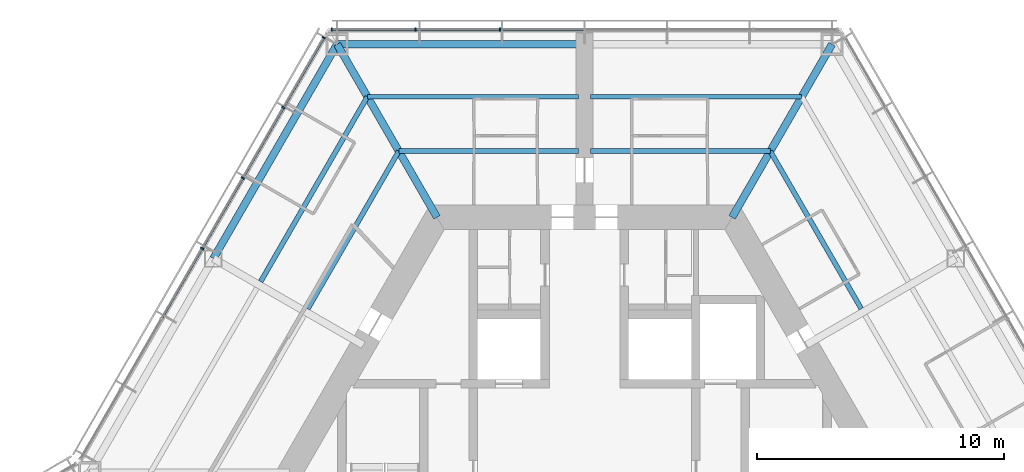
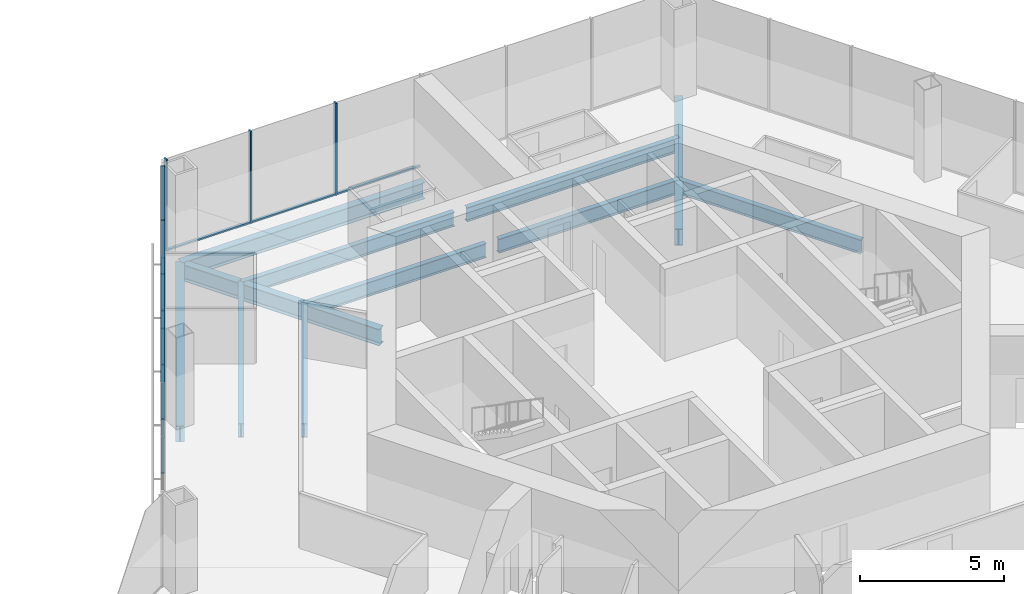
# One storey, part 7 of 18: 14 members, 11 beams, 2 elements without a shape of their own.
"""IFC4 building model written with IfcOpenShell, lengths in metres."""

import ifcopenshell
import ifcopenshell.guid

model = None  # the IFC model being written
_history = None  # IfcOwnerHistory: only IFC2X3 demands one
_inside = {}  # id of a spatial element -> (the spatial element, [elements in it])
_under = {}  # id of a project, library or spatial element -> (it, [spatial elements below it])
_declared = {}  # id of a project -> (the project, [libraries it declares])
_typed = {}  # id of a type object -> (the type object, [elements of that type])
_made_of = {}  # id of a material, layer set ... -> (it, [elements and type objects made of it])


def new_model(schema):
    """Start an empty IFC model of exactly this schema.

    Asked for "IFC4X3", IfcOpenShell would pick the latest addendum, in which some entities
    have other attributes; the version numbers below select the first issue.
    IFC2X3 requires an IfcOwnerHistory on every rooted entity: one is made here for all.
    """
    global model, _history
    if schema == "IFC4X3":
        model = ifcopenshell.file(schema_version=(4, 3, 0, 0))
    else:
        model = ifcopenshell.file(schema=schema)
    _inside.clear()
    _under.clear()
    _declared.clear()
    _typed.clear()
    _made_of.clear()
    _history = None
    if model.schema == "IFC2X3":
        org = make("IfcOrganization", Name="unknown")
        user = make(
            "IfcPersonAndOrganization",
            ThePerson=make("IfcPerson", FamilyName="unknown"),
            TheOrganization=org,
        )
        app = make(
            "IfcApplication",
            ApplicationDeveloper=org,
            Version="unknown",
            ApplicationFullName="unknown",
            ApplicationIdentifier="unknown",
        )
        _history = make(
            "IfcOwnerHistory",
            OwningUser=user,
            OwningApplication=app,
            ChangeAction="ADDED",
            CreationDate=0,
        )
    return model


def make(cls, **values):
    """One entity of the class cls with the attributes given. An attribute that is None is left unset."""
    return model.create_entity(
        cls, **{name: value for name, value in values.items() if value is not None}
    )


def rooted(cls, **values):
    """An entity with a GlobalId (a new one), such as an element, a storey or a relation."""
    return make(cls, GlobalId=ifcopenshell.guid.new(), OwnerHistory=_history, **values)


def si_unit(unit_type, name, prefix=None):
    """IfcSIUnit, for example si_unit("LENGTHUNIT", "METRE", prefix="MILLI")."""
    return make("IfcSIUnit", UnitType=unit_type, Prefix=prefix, Name=name)


def assignment(units):
    """IfcUnitAssignment: the units of a project."""
    return None if units is None else make("IfcUnitAssignment", Units=units)


def point(xyz):
    """IfcCartesianPoint."""
    return None if xyz is None else make("IfcCartesianPoint", Coordinates=xyz)


def direction(xyz):
    """IfcDirection."""
    return None if xyz is None else make("IfcDirection", DirectionRatios=xyz)


def frame(location, z_axis=None, x_axis=None):
    """IfcAxis2Placement3D, a coordinate frame: its origin and axes. An axis left out is left unset."""
    return make(
        "IfcAxis2Placement3D",
        Location=point(location),
        Axis=direction(z_axis),
        RefDirection=direction(x_axis),
    )


def frame_2d(location, x_axis=None):
    """IfcAxis2Placement2D, a coordinate frame in the plane: its origin and x axis."""
    return make(
        "IfcAxis2Placement2D", Location=point(location), RefDirection=direction(x_axis)
    )


def origin():
    """The frame at (0, 0, 0) with its axes left unset."""
    return frame((0.0, 0.0, 0.0))


def origin_2d():
    """The frame at (0, 0) in the plane with its x axis left unset."""
    return frame_2d((0.0, 0.0))


def place(relative_to, where):
    """IfcLocalPlacement: puts the frame where relative to a parent placement (None: the world)."""
    return make(
        "IfcLocalPlacement", PlacementRelTo=relative_to, RelativePlacement=where
    )


def context(
    kind, dimensions, precision=None, world=None, true_north=None, identifier=None
):
    """IfcGeometricRepresentationContext, for example the 3D "Model" context."""
    return make(
        "IfcGeometricRepresentationContext",
        ContextIdentifier=identifier,
        ContextType=kind,
        CoordinateSpaceDimension=dimensions,
        Precision=precision,
        WorldCoordinateSystem=world,
        TrueNorth=true_north,
    )


def subcontext(parent, identifier, kind, view, scale=None):
    """IfcGeometricRepresentationSubContext, for example "Body" below "Model"."""
    return make(
        "IfcGeometricRepresentationSubContext",
        ContextIdentifier=identifier,
        ContextType=kind,
        ParentContext=parent,
        TargetScale=scale,
        TargetView=view,
    )


def project(units=None, contexts=None):
    """IfcProject with its units and contexts."""
    return rooted(
        "IfcProject",
        Name="project",
        RepresentationContexts=contexts,
        UnitsInContext=assignment(units),
    )


def spatial(cls, under=None, at=None, **own):
    """A site, building, storey or space (cls), placed at a placement, below another one or the project."""
    s = rooted(cls, ObjectPlacement=at, **own)
    if under is not None:
        _under.setdefault(under.id(), (under, []))[1].append(s)
    return s


def profile(cls, at=None, kind="AREA", **sizes):
    """A parametric profile (cls). Its sizes go by their IFC names, for example OverallWidth=200.0."""
    return make(cls, ProfileType=kind, Position=at, **sizes)


def rectangle(**sizes):
    """IfcRectangleProfileDef."""
    return profile("IfcRectangleProfileDef", **sizes)


def i_section(**sizes):
    """IfcIShapeProfileDef."""
    return profile("IfcIShapeProfileDef", **sizes)


def extrude(swept, where, along, depth):
    """IfcExtrudedAreaSolid: the profile swept, set in the frame where, extruded along a direction by depth."""
    return make(
        "IfcExtrudedAreaSolid",
        SweptArea=swept,
        Position=where,
        ExtrudedDirection=direction(along),
        Depth=depth,
    )


def shape(context_of_items, identifier, shape_type, items):
    """IfcShapeRepresentation: the items that make up one representation, for example the "Body"."""
    return make(
        "IfcShapeRepresentation",
        ContextOfItems=context_of_items,
        RepresentationIdentifier=identifier,
        RepresentationType=shape_type,
        Items=items,
    )


def material(Name=None, Category=None):
    """IfcMaterial."""
    return make("IfcMaterial", Name=Name, Category=Category)


def material_profile(
    of_material, cross_section, Name=None, Category=None, Priority=None
):
    """IfcMaterialProfile: a cross section and its material."""
    return make(
        "IfcMaterialProfile",
        Name=Name,
        Material=of_material,
        Profile=cross_section,
        Priority=Priority,
        Category=Category,
    )


def profile_set(profiles, Name=None, composite=None):
    """IfcMaterialProfileSet."""
    return make(
        "IfcMaterialProfileSet",
        Name=Name,
        MaterialProfiles=profiles,
        CompositeProfile=composite,
    )


def made_of(thing, what):
    """Note that an element or type object is made of a material, layer set ...; save() writes the relation."""
    if what is not None:
        _made_of.setdefault(what.id(), (what, []))[1].append(thing)
    return thing


def type_object(cls, material=None, **own):
    """A type object (cls), such as IfcWallType, which elements share."""
    return made_of(rooted(cls, **own), material)


def element(
    cls,
    number,
    at=None,
    inside=None,
    cuts=None,
    type_object=None,
    material=None,
    context=None,
    identifier="Body",
    shape_type=None,
    held_by="IfcProductDefinitionShape",
    body=None,
    shapes=None,
    **own,
):
    """One element of the class cls, such as IfcWall. Its Tag is "e" and its number.

    at: its placement. inside: the storey or other place that contains it. cuts: it is an
    opening in that element (IfcRelVoidsElement). A single representation is given by context,
    identifier, shape_type and body (its items); several are given by shapes. held_by: the class
    of the entity that holds the representations. save() writes the other relations.
    """
    e = rooted(cls, Tag="e%d" % number, ObjectPlacement=at, **own)
    if body is not None:
        shapes = [shape(context, identifier, shape_type, body)]
    if shapes is not None:
        e.Representation = make(held_by, Representations=shapes)
    if inside is not None:
        _inside.setdefault(inside.id(), (inside, []))[1].append(e)
    if cuts is not None:
        rooted(
            "IfcRelVoidsElement", RelatingBuildingElement=cuts, RelatedOpeningElement=e
        )
    if type_object is not None:
        _typed.setdefault(type_object.id(), (type_object, []))[1].append(e)
    return made_of(e, material)


def aggregate(whole, parts):
    """IfcRelAggregates: a whole, such as a stair, and the parts it consists of."""
    return rooted("IfcRelAggregates", RelatingObject=whole, RelatedObjects=parts)


def save(model, path):
    """Write the relations noted so far, then the file.

    IfcRelAggregates (storeys below a building ...), IfcRelContainedInSpatialStructure (elements
    in a storey), IfcRelDefinesByType, IfcRelAssociatesMaterial and IfcRelDeclares: one each for
    every whole, place, type object, material and project.
    """
    for whole, parts in _under.values():
        aggregate(whole, parts)
    for where, things in _inside.values():
        rooted(
            "IfcRelContainedInSpatialStructure",
            RelatedElements=things,
            RelatingStructure=where,
        )
    for kind, things in _typed.values():
        rooted("IfcRelDefinesByType", RelatedObjects=things, RelatingType=kind)
    for what, things in _made_of.values():
        rooted("IfcRelAssociatesMaterial", RelatedObjects=things, RelatingMaterial=what)
    for by, libraries in _declared.values():
        rooted("IfcRelDeclares", RelatingContext=by, RelatedDefinitions=libraries)
    model.write(path)


model = new_model("IFC4")

# Units and contexts
model_context = context("Model", 3, precision=1e-05, world=origin(), true_north=direction((0.0, 1.0)))
body_context = subcontext(model_context, "Body", "Model", "MODEL_VIEW")
ifc_project = project(units=[si_unit("LENGTHUNIT", "METRE"), si_unit("AREAUNIT", "SQUARE_METRE"), si_unit("VOLUMEUNIT", "CUBIC_METRE"), si_unit("PLANEANGLEUNIT", "RADIAN"), si_unit("MASSUNIT", "GRAM", prefix="KILO")], contexts=[model_context])

# Site, building, storey
site_placement = place(None, origin())
site = spatial("IfcSite", under=ifc_project, at=site_placement, CompositionType="ELEMENT")
building_placement = place(site_placement, origin())
building = spatial("IfcBuilding", under=site, at=building_placement, Name="Kasaneha Research Tower", CompositionType="ELEMENT")
storey_placement = place(building_placement, frame((0.0, 0.0, 199.39990234375)))
storey = spatial("IfcBuildingStorey", under=building, at=storey_placement, Name="L50", CompositionType="ELEMENT", Elevation=199.39990234375)

# Beams
ifc_material_1 = material(Name="Steel SN490B", Category="steel")
ifc_material_profile_1 = material_profile(ifc_material_1, i_section(OverallWidth=0.199951171875, OverallDepth=0.60009765625, WebThickness=0.010986328125, FlangeThickness=0.01708984375, FilletRadius=0.012939453125, at=origin_2d()), Name="H-600x200x11x17")
ifc_profile_set_1 = profile_set([ifc_material_profile_1], Name="Steel SN490B")
beam_type_1 = type_object("IfcBeamType", Name="B1-3 secondary beam H-600x200x11x17", PredefinedType="JOIST", material=ifc_profile_set_1)
beam_1_placement = place(storey_placement, frame((7.505615234375, 13.0, -0.449951171875), z_axis=(0.499994443168, -0.866028611999, 0.0), x_axis=(0.866028611999, 0.499994443168, 0.0)))
element("IfcBeam", 1, at=beam_1_placement, inside=storey, type_object=beam_type_1, Name="Secondary beam RS030R1 L50", PredefinedType="JOIST", context=body_context, shape_type="SweptSolid", body=[
    extrude(i_section(OverallWidth=0.199951171875, OverallDepth=0.60009765625, WebThickness=0.010986328125, FlangeThickness=0.01708984375, FilletRadius=0.012939453125, at=origin_2d()), origin(), (0.0, 0.0, 1.0), 7.35546875),
])
beam_2_placement = place(storey_placement, frame((7.505615234375, 13.0, -0.449951171875), z_axis=(-1.0, 0.0, 0.0), x_axis=(0.0, -1.0, 0.0)))
element("IfcBeam", 2, at=beam_2_placement, inside=storey, type_object=beam_type_1, Name="Secondary beam RS090L1 L50", PredefinedType="JOIST", context=body_context, shape_type="SweptSolid", body=[
    extrude(i_section(OverallWidth=0.199951171875, OverallDepth=0.60009765625, WebThickness=0.010986328125, FlangeThickness=0.01708984375, FilletRadius=0.012939453125, at=origin_2d()), origin(), (0.0, 0.0, 1.0), 7.255615234375),
])
beam_3_placement = place(storey_placement, frame((8.775634765625, 15.199951171875, -0.449951171875), z_axis=(-1.0, 0.0, 0.0), x_axis=(0.0, -1.0, 0.0)))
element("IfcBeam", 3, at=beam_3_placement, inside=storey, type_object=beam_type_1, Name="Secondary beam RS090L2 L50", PredefinedType="JOIST", context=body_context, shape_type="SweptSolid", body=[
    extrude(i_section(OverallWidth=0.199951171875, OverallDepth=0.60009765625, WebThickness=0.010986328125, FlangeThickness=0.01708984375, FilletRadius=0.012939453125, at=origin_2d()), origin(), (0.0, 0.0, 1.0), 8.525634765625),
])
beam_4_placement = place(storey_placement, frame((-7.505615234375, 13.0, -0.449951171875), z_axis=(1.0, 0.0, 0.0), x_axis=(0.0, 1.0, 0.0)))
element("IfcBeam", 4, at=beam_4_placement, inside=storey, type_object=beam_type_1, Name="Secondary beam RS090R1 L50", PredefinedType="JOIST", context=body_context, shape_type="SweptSolid", body=[
    extrude(i_section(OverallWidth=0.199951171875, OverallDepth=0.60009765625, WebThickness=0.010986328125, FlangeThickness=0.01708984375, FilletRadius=0.012939453125, at=origin_2d()), origin(), (0.0, 0.0, 1.0), 7.255615234375),
])
beam_5_placement = place(storey_placement, frame((-8.775634765625, 15.199951171875, -0.449951171875), z_axis=(1.0, 0.0, 0.0), x_axis=(0.0, 1.0, 0.0)))
element("IfcBeam", 5, at=beam_5_placement, inside=storey, type_object=beam_type_1, Name="Secondary beam RS090R2 L50", PredefinedType="JOIST", context=body_context, shape_type="SweptSolid", body=[
    extrude(i_section(OverallWidth=0.199951171875, OverallDepth=0.60009765625, WebThickness=0.010986328125, FlangeThickness=0.01708984375, FilletRadius=0.012939453125, at=origin_2d()), origin(), (0.0, 0.0, 1.0), 8.525634765625),
])
beam_6_placement = place(storey_placement, frame((-7.505615234375, 13.0, -0.449951171875), z_axis=(-0.499994443168, -0.866028611999, 0.0), x_axis=(0.866028611999, -0.499994443168, 0.0)))
element("IfcBeam", 6, at=beam_6_placement, inside=storey, type_object=beam_type_1, Name="Secondary beam RS150L1 L50", PredefinedType="JOIST", context=body_context, shape_type="SweptSolid", body=[
    extrude(i_section(OverallWidth=0.199951171875, OverallDepth=0.60009765625, WebThickness=0.010986328125, FlangeThickness=0.01708984375, FilletRadius=0.012939453125, at=origin_2d()), origin(), (0.0, 0.0, 1.0), 7.35546875),
])
beam_7_placement = place(storey_placement, frame((-8.775634765625, 15.199951171875, -0.449951171875), z_axis=(-0.500017275495, -0.866015429543, 0.0), x_axis=(0.866015429543, -0.500017275495, 0.0)))
element("IfcBeam", 7, at=beam_7_placement, inside=storey, type_object=beam_type_1, Name="Secondary beam RS150L2 L50", PredefinedType="JOIST", context=body_context, shape_type="SweptSolid", body=[
    extrude(i_section(OverallWidth=0.199951171875, OverallDepth=0.60009765625, WebThickness=0.010986328125, FlangeThickness=0.01708984375, FilletRadius=0.012939453125, at=origin_2d()), origin(), (0.0, 0.0, 1.0), 8.625732421875),
])

# Curtain wall, members
ifc_material_2 = material(Name="Glass and aluminium", Category="aluminium")
curtain_wall_type = type_object("IfcCurtainWallType", Name="Mid-rise office curtain wall", PredefinedType="USERDEFINED", material=ifc_material_2)
curtain_wall_1_placement = place(storey_placement, origin())
curtain_wall_1 = element("IfcCurtainWall", 8, at=curtain_wall_1_placement, inside=storey, type_object=curtain_wall_type, Name="CW-O2 L50 run 07a", ObjectType="UNITISED CURTAIN WALL", PredefinedType="USERDEFINED")
ifc_material_3 = material(Name="Aluminium 6063-T6", Category="aluminium")
ifc_material_profile_2 = material_profile(ifc_material_3, rectangle(XDim=0.06005859375, YDim=0.14990234375, at=origin_2d()), Name="CW-O2 mullion 60x150")
ifc_profile_set_2 = profile_set([ifc_material_profile_2], Name="Aluminium 6063-T6")
member_type_1 = type_object("IfcMemberType", Name="CW-O2 mullion", PredefinedType="MULLION", material=ifc_profile_set_2)
member_1_placement = place(storey_placement, frame((-3.41552734375, 17.92041015625, 0.0), z_axis=(0.0, 0.0, 1.0), x_axis=(-1.0, 0.0, 0.0)))
member_1 = element("IfcMember", 9, at=member_1_placement, type_object=member_type_1, Name="CW-O2 mullion 5", PredefinedType="MULLION", context=body_context, shape_type="SweptSolid", body=[
    extrude(rectangle(XDim=0.06005859375, YDim=0.14990234375, at=origin_2d()), origin(), (0.0, 0.0, 1.0), 3.900146484375),
])
member_2_placement = place(storey_placement, frame((-6.8310546875, 17.92041015625, 0.0), z_axis=(0.0, 0.0, 1.0), x_axis=(-1.0, 0.0, 0.0)))
member_2 = element("IfcMember", 10, at=member_2_placement, type_object=member_type_1, Name="CW-O2 mullion 6", PredefinedType="MULLION", context=body_context, shape_type="SweptSolid", body=[
    extrude(rectangle(XDim=0.06005859375, YDim=0.14990234375, at=origin_2d()), origin(), (0.0, 0.0, 1.0), 3.900146484375),
])
member_3_placement = place(storey_placement, frame((-10.21630859375, 17.92041015625, 0.0), z_axis=(0.0, 0.0, 1.0), x_axis=(-1.0, 0.0, 0.0)))
member_3 = element("IfcMember", 11, at=member_3_placement, type_object=member_type_1, Name="CW-O2 mullion 7", PredefinedType="MULLION", context=body_context, shape_type="SweptSolid", body=[
    extrude(rectangle(XDim=0.06005859375, YDim=0.14990234375, at=origin_2d()), origin(), (0.0, 0.0, 1.0), 3.900146484375),
])

curtain_wall_2_placement = place(storey_placement, origin())
curtain_wall_2 = element("IfcCurtainWall", 12, at=curtain_wall_2_placement, inside=storey, type_object=curtain_wall_type, Name="CW-O2 L50 run 08a", ObjectType="UNITISED CURTAIN WALL", PredefinedType="USERDEFINED")
member_4_placement = place(storey_placement, frame((-10.5400390625, 17.585205078125, 0.0), z_axis=(0.0, 0.0, 1.0), x_axis=(-0.499999979232, -0.866025415775, 0.0)))
member_4 = element("IfcMember", 13, at=member_4_placement, type_object=member_type_1, Name="CW-O2 mullion 1", PredefinedType="MULLION", context=body_context, shape_type="SweptSolid", body=[
    extrude(rectangle(XDim=0.06005859375, YDim=0.14990234375, at=origin_2d()), origin(), (0.0, 0.0, 1.0), 3.900146484375),
])
member_5_placement = place(storey_placement, frame((-12.1689453125, 14.763671875, 0.0), z_axis=(0.0, 0.0, 1.0), x_axis=(-0.499999979232, -0.866025415775, 0.0)))
member_5 = element("IfcMember", 14, at=member_5_placement, type_object=member_type_1, Name="CW-O2 mullion 2", PredefinedType="MULLION", context=body_context, shape_type="SweptSolid", body=[
    extrude(rectangle(XDim=0.06005859375, YDim=0.14990234375, at=origin_2d()), origin(), (0.0, 0.0, 1.0), 3.900146484375),
])
member_6_placement = place(storey_placement, frame((-13.81298828125, 11.916015625, 0.0), z_axis=(0.0, 0.0, 1.0), x_axis=(-0.499999979232, -0.866025415775, 0.0)))
member_6 = element("IfcMember", 15, at=member_6_placement, type_object=member_type_1, Name="CW-O2 mullion 3", PredefinedType="MULLION", context=body_context, shape_type="SweptSolid", body=[
    extrude(rectangle(XDim=0.06005859375, YDim=0.14990234375, at=origin_2d()), origin(), (0.0, 0.0, 1.0), 3.900146484375),
])
member_7_placement = place(storey_placement, frame((-15.45703125, 9.068603515625, 0.0), z_axis=(0.0, 0.0, 1.0), x_axis=(-0.499999979232, -0.866025415775, 0.0)))
member_7 = element("IfcMember", 16, at=member_7_placement, type_object=member_type_1, Name="CW-O2 mullion 4", PredefinedType="MULLION", context=body_context, shape_type="SweptSolid", body=[
    extrude(rectangle(XDim=0.06005859375, YDim=0.14990234375, at=origin_2d()), origin(), (0.0, 0.0, 1.0), 3.900146484375),
])

# Member
ifc_material_4 = material(Name="Aluminium 6063-T6", Category="aluminium")
ifc_material_profile_3 = material_profile(ifc_material_4, rectangle(XDim=0.110107421875, YDim=0.06005859375, at=origin_2d()), Name="CW-O2 transom 110x60")
ifc_profile_set_3 = profile_set([ifc_material_profile_3], Name="Aluminium 6063-T6")
member_type_2 = type_object("IfcMemberType", Name="CW-O2 transom", PredefinedType="USERDEFINED", material=ifc_profile_set_3)
member_8_placement = place(storey_placement, frame((-0.030029296875, 17.92041015625, 0.030029296875), z_axis=(-1.0, 0.0, 0.0), x_axis=(0.0, -1.0, 0.0)))
member_8 = element("IfcMember", 17, at=member_8_placement, type_object=member_type_2, Name="CW-O2 transom 4", ObjectType="TRANSOM", PredefinedType="USERDEFINED", context=body_context, shape_type="SweptSolid", body=[
    extrude(rectangle(XDim=0.110107421875, YDim=0.06005859375, at=origin_2d()), origin(), (0.0, 0.0, 1.0), 3.35546875),
])

member_9_placement = place(storey_placement, frame((-3.445556640625, 17.92041015625, 0.030029296875), z_axis=(-1.0, 0.0, 0.0), x_axis=(0.0, -1.0, 0.0)))
member_9 = element("IfcMember", 18, at=member_9_placement, type_object=member_type_2, Name="CW-O2 transom 5", ObjectType="TRANSOM", PredefinedType="USERDEFINED", context=body_context, shape_type="SweptSolid", body=[
    extrude(rectangle(XDim=0.110107421875, YDim=0.06005859375, at=origin_2d()), origin(), (0.0, 0.0, 1.0), 3.35546875),
])

member_10_placement = place(storey_placement, frame((-6.86083984375, 17.92041015625, 0.030029296875), z_axis=(-1.0, 0.0, 0.0), x_axis=(0.0, -1.0, 0.0)))
member_10 = element("IfcMember", 19, at=member_10_placement, type_object=member_type_2, Name="CW-O2 transom 6", ObjectType="TRANSOM", PredefinedType="USERDEFINED", context=body_context, shape_type="SweptSolid", body=[
    extrude(rectangle(XDim=0.110107421875, YDim=0.06005859375, at=origin_2d()), origin(), (0.0, 0.0, 1.0), 3.32568359375),
])

aggregate(curtain_wall_1, [member_1, member_2, member_3, member_8, member_9, member_10])

member_11_placement = place(storey_placement, frame((-10.554931640625, 17.559326171875, 0.030029296875), z_axis=(-0.500030834389, -0.86600760081, 0.0), x_axis=(0.86600760081, -0.500030834389, 0.0)))
member_11 = element("IfcMember", 20, at=member_11_placement, type_object=member_type_2, Name="CW-O2 transom 1", ObjectType="TRANSOM", PredefinedType="USERDEFINED", context=body_context, shape_type="SweptSolid", body=[
    extrude(rectangle(XDim=0.110107421875, YDim=0.06005859375, at=origin_2d()), origin(), (0.0, 0.0, 1.0), 3.197998046875),
])

member_12_placement = place(storey_placement, frame((-12.18408203125, 14.73779296875, 0.030029296875), z_axis=(-0.499986503906, -0.866033195618, 0.0), x_axis=(0.866033195618, -0.499986503906, 0.0)))
member_12 = element("IfcMember", 21, at=member_12_placement, type_object=member_type_2, Name="CW-O2 transom 2", ObjectType="TRANSOM", PredefinedType="USERDEFINED", context=body_context, shape_type="SweptSolid", body=[
    extrude(rectangle(XDim=0.110107421875, YDim=0.06005859375, at=origin_2d()), origin(), (0.0, 0.0, 1.0), 3.22802734375),
])

member_13_placement = place(storey_placement, frame((-13.828125, 11.89013671875, 0.030029296875), z_axis=(-0.499986503906, -0.866033195618, 0.0), x_axis=(0.866033195618, -0.499986503906, 0.0)))
member_13 = element("IfcMember", 22, at=member_13_placement, type_object=member_type_2, Name="CW-O2 transom 3", ObjectType="TRANSOM", PredefinedType="USERDEFINED", context=body_context, shape_type="SweptSolid", body=[
    extrude(rectangle(XDim=0.110107421875, YDim=0.06005859375, at=origin_2d()), origin(), (0.0, 0.0, 1.0), 3.22802734375),
])

member_14_placement = place(storey_placement, frame((-15.47216796875, 9.04248046875, 0.030029296875), z_axis=(-0.500019253631, -0.86601428741, 0.0), x_axis=(0.86601428741, -0.500019253631, 0.0)))
member_14 = element("IfcMember", 23, at=member_14_placement, type_object=member_type_2, Name="CW-O2 transom 4", ObjectType="TRANSOM", PredefinedType="USERDEFINED", context=body_context, shape_type="SweptSolid", body=[
    extrude(rectangle(XDim=0.110107421875, YDim=0.06005859375, at=origin_2d()), origin(), (0.0, 0.0, 1.0), 3.227783203125),
])

aggregate(curtain_wall_2, [member_4, member_5, member_6, member_7, member_11, member_12, member_13, member_14])

# Beams
ifc_material_5 = material(Name="Steel SN490B", Category="steel")
ifc_material_profile_4 = material_profile(ifc_material_5, i_section(OverallWidth=0.300048828125, OverallDepth=0.699951171875, WebThickness=0.012939453125, FlangeThickness=0.02392578125, FilletRadius=0.01806640625, at=origin_2d()), Name="H-700x300x13x24")
ifc_profile_set_4 = profile_set([ifc_material_profile_4], Name="Steel SN490B")
beam_type_2 = type_object("IfcBeamType", Name="G1-3 radial girder H-700x300x13x24", PredefinedType="BEAM", material=ifc_profile_set_4)
for number, where, z_axis, x_axis, name in (
    (24, (5.961181640625, 10.324951171875, -0.5), (0.49999105496, 0.866030568144, 0.0), (-0.866030568144, 0.49999105496, 0.0), "Radial girder RV060 L50"),
    (25, (-5.961181640625, 10.324951171875, -0.5), (-0.49999105496, 0.866030568144, 0.0), (-0.866030568144, -0.49999105496, 0.0), "Radial girder RV120 L50"),
):
    element("IfcBeam", number, at=place(storey_placement, frame(where, z_axis=z_axis, x_axis=x_axis)), inside=storey, type_object=beam_type_2, Name=name, PredefinedType="BEAM", context=body_context, shape_type="SweptSolid", body=[
        extrude(i_section(OverallWidth=0.300048828125, OverallDepth=0.699951171875, WebThickness=0.012939453125, FlangeThickness=0.02392578125, FilletRadius=0.01806640625, at=origin_2d()), origin(), (0.0, 0.0, 1.0), 8.077880859375),
    ])
ifc_material_6 = material(Name="Steel SN490B", Category="steel")
ifc_material_profile_5 = material_profile(ifc_material_6, i_section(OverallWidth=0.300048828125, OverallDepth=0.69189453125, WebThickness=0.012939453125, FlangeThickness=0.02001953125, FilletRadius=0.01806640625, at=origin_2d()), Name="H-692x300x13x20")
ifc_profile_set_5 = profile_set([ifc_material_profile_5], Name="Steel SN490B")
beam_type_3 = type_object("IfcBeamType", Name="G3-3 plate edge girder H-692x300x13x20", PredefinedType="BEAM", material=ifc_profile_set_5)
beam_8_placement = place(storey_placement, frame((-10.0, 17.320556640625, -0.495849609375), z_axis=(1.0, 0.0, 0.0), x_axis=(0.0, 1.0, 0.0)))
element("IfcBeam", 26, at=beam_8_placement, inside=storey, type_object=beam_type_3, Name="Plate edge girder PEAN L50", PredefinedType="BEAM", context=body_context, shape_type="SweptSolid", body=[
    extrude(i_section(OverallWidth=0.300048828125, OverallDepth=0.69189453125, WebThickness=0.012939453125, FlangeThickness=0.02001953125, FilletRadius=0.01806640625, at=origin_2d()), origin(), (0.0, 0.0, 1.0), 9.75),
])
ifc_material_7 = material(Name="Steel SN490B", Category="steel")
ifc_material_profile_6 = material_profile(ifc_material_7, i_section(OverallWidth=0.300048828125, OverallDepth=0.69189453125, WebThickness=0.012939453125, FlangeThickness=0.02001953125, FilletRadius=0.01806640625, at=origin_2d()), Name="H-692x300x13x20")
ifc_profile_set_6 = profile_set([ifc_material_profile_6], Name="Steel SN490B")
beam_type_4 = type_object("IfcBeamType", Name="SB1-3 spandrel beam H-692x300x13x20", PredefinedType="SPANDREL", material=ifc_profile_set_6)
beam_9_placement = place(storey_placement, frame((-10.0, 17.320556640625, -0.495849609375), z_axis=(-0.499993662806, -0.866029062534, 0.0), x_axis=(0.866029062534, -0.499993662806, 0.0)))
element("IfcBeam", 27, at=beam_9_placement, inside=storey, type_object=beam_type_4, Name="Spandrel beam SR150L L50", PredefinedType="SPANDREL", context=body_context, shape_type="SweptSolid", body=[
    extrude(i_section(OverallWidth=0.300048828125, OverallDepth=0.69189453125, WebThickness=0.012939453125, FlangeThickness=0.02001953125, FilletRadius=0.01806640625, at=origin_2d()), origin(), (0.0, 0.0, 1.0), 10.000244140625),
])

save(model, "model.ifc")
